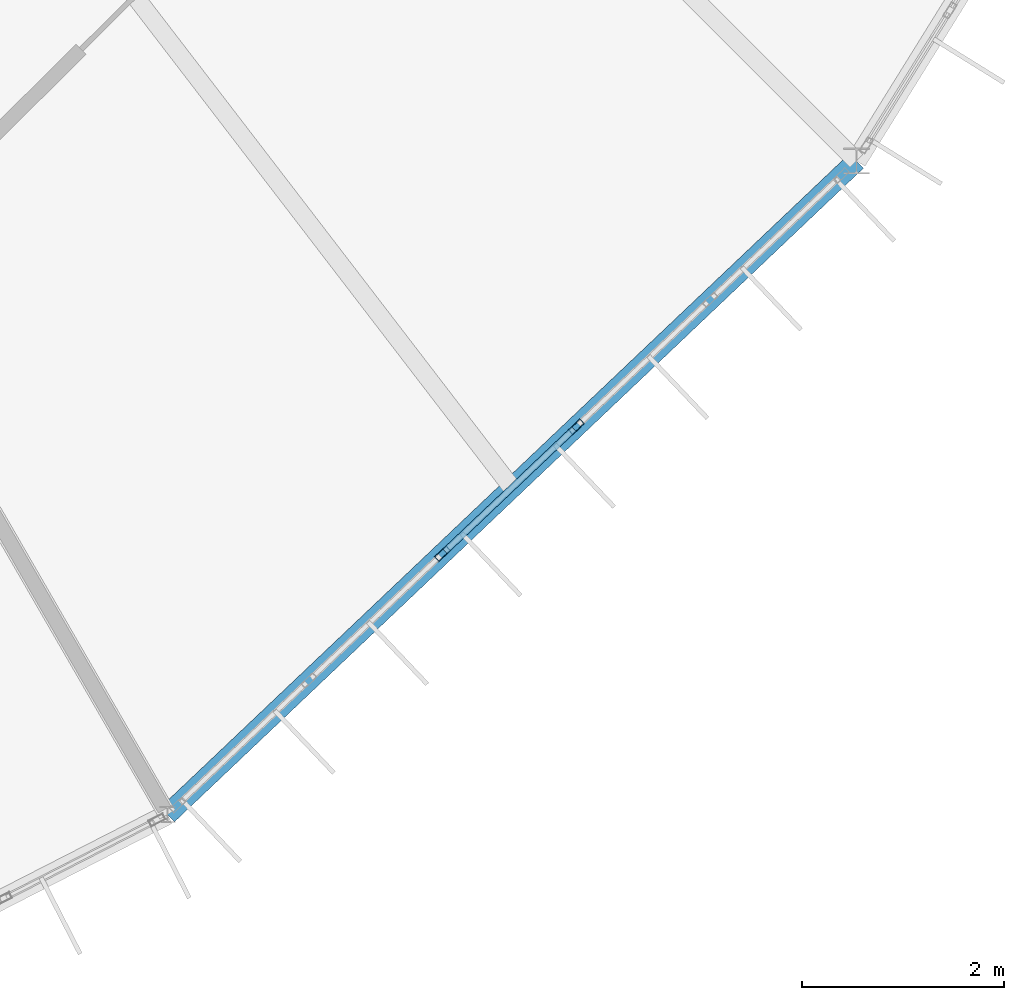
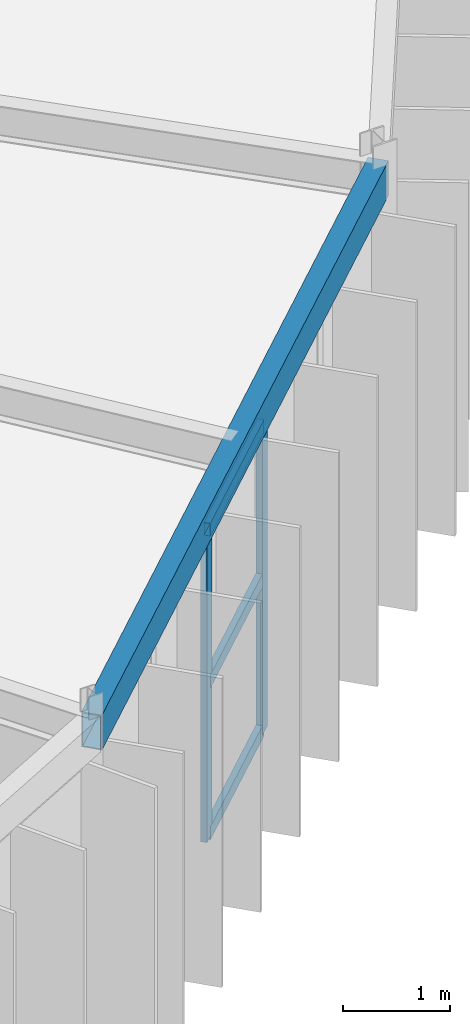
# One storey, part 37 of 106: 5 members, 1 beam, 1 element without a shape of its own.
"""IFC4 building model written with IfcOpenShell, lengths in metres."""

from ifc_helpers import new_model, si_unit, direction, frame, origin, origin_2d, place, context, subcontext, project, spatial, hollow_rectangle, extrude, material, material_profile, profile_set, type_object, element, aggregate, save


model = new_model("IFC4")

# Units and contexts
model_context = context("Model", 3, precision=1e-05, world=origin(), true_north=direction((0.0, 1.0)))
body_context = subcontext(model_context, "Body", "Model", "MODEL_VIEW")
ifc_project = project(units=[si_unit("LENGTHUNIT", "METRE"), si_unit("AREAUNIT", "SQUARE_METRE"), si_unit("VOLUMEUNIT", "CUBIC_METRE"), si_unit("PLANEANGLEUNIT", "RADIAN"), si_unit("MASSUNIT", "GRAM", prefix="KILO")], contexts=[model_context])

# Site, building, storey
site_placement = place(None, origin())
site = spatial("IfcSite", under=ifc_project, at=site_placement, CompositionType="ELEMENT")
building_placement = place(site_placement, origin())
building = spatial("IfcBuilding", under=site, at=building_placement, Name="Karori Crest Natural Sciences Institute", CompositionType="ELEMENT")
storey_placement = place(building_placement, frame((0.0, 0.0, 25.89990234375)))
storey = spatial("IfcBuildingStorey", under=building, at=storey_placement, Name="L06", CompositionType="ELEMENT", Elevation=25.89990234375)

# Beam
ifc_material_1 = material(Name="Hollow structural steel AS/NZS 1163 Grade C350", Category="steel")
ifc_material_profile_1 = material_profile(ifc_material_1, hollow_rectangle(XDim=0.199951171875, YDim=0.39990234375, WallThickness=0.012451171875, at=origin_2d()), Name="RHS400x200x12.5")
ifc_profile_set_1 = profile_set([ifc_material_profile_1], Name="Hollow structural steel AS/NZS 1163 Grade C350")
beam_type = type_object("IfcBeamType", Name="BT-14", PredefinedType="SPANDREL", material=ifc_profile_set_1)
beam_placement = place(storey_placement, frame((82.89990234375, 14.566162109375, 3.739990234375), z_axis=(0.725481282589, 0.688241896874, 0.0), x_axis=(-0.688241896874, 0.725481282589, 0.0)))
element("IfcBeam", 1, at=beam_placement, inside=storey, type_object=beam_type, Name="Beam B-0704", PredefinedType="SPANDREL", context=body_context, shape_type="SweptSolid", body=[
    extrude(hollow_rectangle(XDim=0.199951171875, YDim=0.39990234375, WallThickness=0.012451171875, at=origin_2d()), origin(), (0.0, 0.0, 1.0), 9.4208984375),
])

# Curtain wall, members
ifc_material_2 = material(Name="Anodised architectural aluminium 6063-T6", Category="aluminium")
curtain_wall_type = type_object("IfcCurtainWallType", Name="CWT-01", PredefinedType="NOTDEFINED", material=ifc_material_2)
curtain_wall_placement = place(storey_placement, origin())
curtain_wall = element("IfcCurtainWall", 2, at=curtain_wall_placement, inside=storey, type_object=curtain_wall_type, Name="Curtain wall CW-0214", PredefinedType="NOTDEFINED")
ifc_material_profile_2 = material_profile(ifc_material_2, hollow_rectangle(XDim=0.06494140625, YDim=0.159912109375, WallThickness=0.00390625, at=origin_2d()), Name="CWM160x65x4")
ifc_profile_set_2 = profile_set([ifc_material_profile_2], Name="Anodised architectural aluminium 6063-T6")
member_type_1 = type_object("IfcMemberType", Name="CWM-01", PredefinedType="MULLION", material=ifc_profile_set_2)
member_1_placement = place(storey_placement, frame((86.955078125, 18.4130859375, 0.0), z_axis=(0.0, 0.0, 1.0), x_axis=(0.688250542104, -0.725473081026, 0.0)))
member_1 = element("IfcMember", 3, at=member_1_placement, type_object=member_type_1, Name="CW-0214 mullion 3", PredefinedType="MULLION", context=body_context, shape_type="SweptSolid", body=[
    extrude(hollow_rectangle(XDim=0.06494140625, YDim=0.159912109375, WallThickness=0.00390625, at=origin_2d()), origin(), (0.0, 0.0, 1.0), 3.525146484375),
])
member_2_placement = place(storey_placement, frame((85.62841796875, 17.15478515625, 0.0), z_axis=(0.0, 0.0, 1.0), x_axis=(0.688250542104, -0.725473081026, 0.0)))
member_2 = element("IfcMember", 4, at=member_2_placement, type_object=member_type_1, Name="CW-0214 mullion 4", PredefinedType="MULLION", context=body_context, shape_type="SweptSolid", body=[
    extrude(hollow_rectangle(XDim=0.06494140625, YDim=0.159912109375, WallThickness=0.00390625, at=origin_2d()), origin(), (0.0, 0.0, 1.0), 3.525146484375),
])
ifc_material_profile_3 = material_profile(ifc_material_2, hollow_rectangle(XDim=0.06494140625, YDim=0.14990234375, WallThickness=0.00390625, at=origin_2d()), Name="CWT150x65x4")
ifc_profile_set_3 = profile_set([ifc_material_profile_3], Name="Anodised architectural aluminium 6063-T6")
member_type_2 = type_object("IfcMemberType", Name="CWT-TR2", PredefinedType="USERDEFINED", material=ifc_profile_set_3)
member_3_placement = place(storey_placement, frame((86.931396484375, 18.390869140625, 0.03271484375), z_axis=(-0.725414069786, -0.688312739499, 0.0), x_axis=(0.688312739499, -0.725414069786, 0.0)))
member_3 = element("IfcMember", 5, at=member_3_placement, type_object=member_type_2, Name="CW-0214 transom 3.1", ObjectType="TRANSOM", PredefinedType="USERDEFINED", context=body_context, shape_type="SweptSolid", body=[
    extrude(hollow_rectangle(XDim=0.06494140625, YDim=0.14990234375, WallThickness=0.00390625, at=origin_2d()), origin(), (0.0, 0.0, 1.0), 1.763427734375),
])
member_4_placement = place(storey_placement, frame((86.931396484375, 18.390869140625, 1.7626953125), z_axis=(-0.725414069786, -0.688312739499, 0.0), x_axis=(0.688312739499, -0.725414069786, 0.0)))
member_4 = element("IfcMember", 6, at=member_4_placement, type_object=member_type_2, Name="CW-0214 transom 3.2", ObjectType="TRANSOM", PredefinedType="USERDEFINED", context=body_context, shape_type="SweptSolid", body=[
    extrude(hollow_rectangle(XDim=0.06494140625, YDim=0.14990234375, WallThickness=0.00390625, at=origin_2d()), origin(), (0.0, 0.0, 1.0), 1.763427734375),
])
member_5_placement = place(storey_placement, frame((86.931396484375, 18.390869140625, 3.49267578125), z_axis=(-0.725414069786, -0.688312739499, 0.0), x_axis=(0.688312739499, -0.725414069786, 0.0)))
member_5 = element("IfcMember", 7, at=member_5_placement, type_object=member_type_2, Name="CW-0214 transom 3.3", ObjectType="TRANSOM", PredefinedType="USERDEFINED", context=body_context, shape_type="SweptSolid", body=[
    extrude(hollow_rectangle(XDim=0.06494140625, YDim=0.14990234375, WallThickness=0.00390625, at=origin_2d()), origin(), (0.0, 0.0, 1.0), 1.763427734375),
])
aggregate(curtain_wall, [member_1, member_2, member_3, member_4, member_5])

save(model, "model.ifc")
